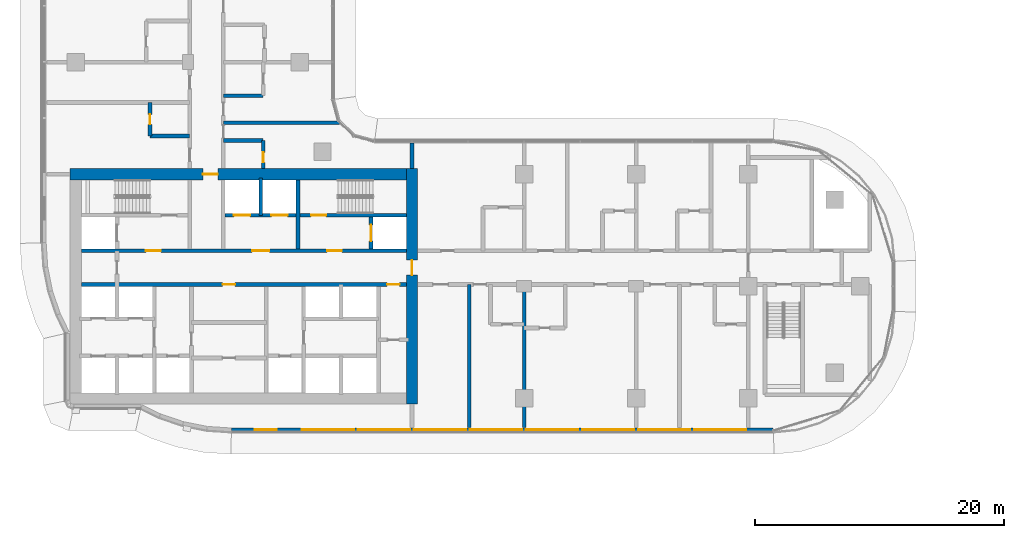
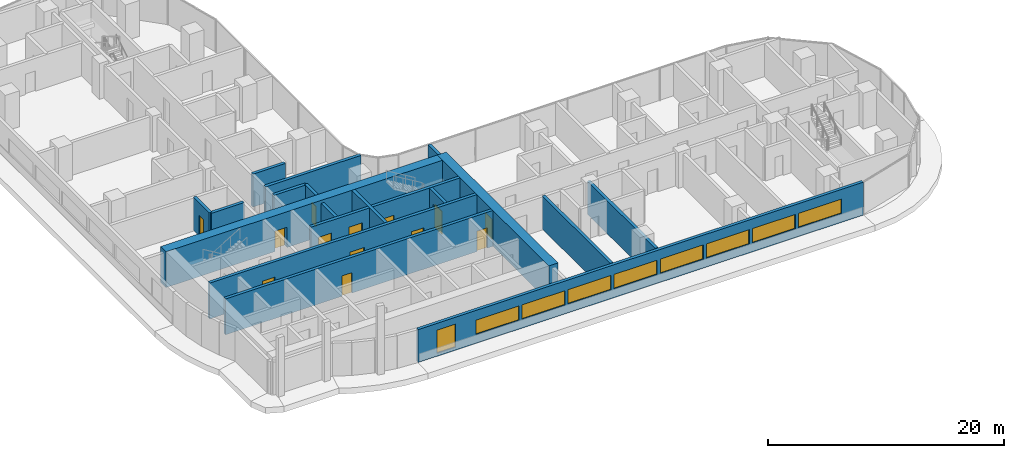
# One storey, part 18 of 36: 18 walls, 13 doors, 9 windows, 22 openings.
"""IFC4 building model written with IfcOpenShell, lengths in metres."""

import ifcopenshell
import ifcopenshell.guid

model = None  # the IFC model being written
_history = None  # IfcOwnerHistory: only IFC2X3 demands one
_inside = {}  # id of a spatial element -> (the spatial element, [elements in it])
_under = {}  # id of a project, library or spatial element -> (it, [spatial elements below it])
_declared = {}  # id of a project -> (the project, [libraries it declares])
_typed = {}  # id of a type object -> (the type object, [elements of that type])
_made_of = {}  # id of a material, layer set ... -> (it, [elements and type objects made of it])


def new_model(schema):
    """Start an empty IFC model of exactly this schema.

    Asked for "IFC4X3", IfcOpenShell would pick the latest addendum, in which some entities
    have other attributes; the version numbers below select the first issue.
    IFC2X3 requires an IfcOwnerHistory on every rooted entity: one is made here for all.
    """
    global model, _history
    if schema == "IFC4X3":
        model = ifcopenshell.file(schema_version=(4, 3, 0, 0))
    else:
        model = ifcopenshell.file(schema=schema)
    _inside.clear()
    _under.clear()
    _declared.clear()
    _typed.clear()
    _made_of.clear()
    _history = None
    if model.schema == "IFC2X3":
        org = make("IfcOrganization", Name="unknown")
        user = make(
            "IfcPersonAndOrganization",
            ThePerson=make("IfcPerson", FamilyName="unknown"),
            TheOrganization=org,
        )
        app = make(
            "IfcApplication",
            ApplicationDeveloper=org,
            Version="unknown",
            ApplicationFullName="unknown",
            ApplicationIdentifier="unknown",
        )
        _history = make(
            "IfcOwnerHistory",
            OwningUser=user,
            OwningApplication=app,
            ChangeAction="ADDED",
            CreationDate=0,
        )
    return model


def make(cls, **values):
    """One entity of the class cls with the attributes given. An attribute that is None is left unset."""
    return model.create_entity(
        cls, **{name: value for name, value in values.items() if value is not None}
    )


def rooted(cls, **values):
    """An entity with a GlobalId (a new one), such as an element, a storey or a relation."""
    return make(cls, GlobalId=ifcopenshell.guid.new(), OwnerHistory=_history, **values)


def si_unit(unit_type, name, prefix=None):
    """IfcSIUnit, for example si_unit("LENGTHUNIT", "METRE", prefix="MILLI")."""
    return make("IfcSIUnit", UnitType=unit_type, Prefix=prefix, Name=name)


def assignment(units):
    """IfcUnitAssignment: the units of a project."""
    return None if units is None else make("IfcUnitAssignment", Units=units)


def point(xyz):
    """IfcCartesianPoint."""
    return None if xyz is None else make("IfcCartesianPoint", Coordinates=xyz)


def direction(xyz):
    """IfcDirection."""
    return None if xyz is None else make("IfcDirection", DirectionRatios=xyz)


def frame(location, z_axis=None, x_axis=None):
    """IfcAxis2Placement3D, a coordinate frame: its origin and axes. An axis left out is left unset."""
    return make(
        "IfcAxis2Placement3D",
        Location=point(location),
        Axis=direction(z_axis),
        RefDirection=direction(x_axis),
    )


def frame_2d(location, x_axis=None):
    """IfcAxis2Placement2D, a coordinate frame in the plane: its origin and x axis."""
    return make(
        "IfcAxis2Placement2D", Location=point(location), RefDirection=direction(x_axis)
    )


def origin():
    """The frame at (0, 0, 0) with its axes left unset."""
    return frame((0.0, 0.0, 0.0))


def place(relative_to, where):
    """IfcLocalPlacement: puts the frame where relative to a parent placement (None: the world)."""
    return make(
        "IfcLocalPlacement", PlacementRelTo=relative_to, RelativePlacement=where
    )


def context(
    kind, dimensions, precision=None, world=None, true_north=None, identifier=None
):
    """IfcGeometricRepresentationContext, for example the 3D "Model" context."""
    return make(
        "IfcGeometricRepresentationContext",
        ContextIdentifier=identifier,
        ContextType=kind,
        CoordinateSpaceDimension=dimensions,
        Precision=precision,
        WorldCoordinateSystem=world,
        TrueNorth=true_north,
    )


def subcontext(parent, identifier, kind, view, scale=None):
    """IfcGeometricRepresentationSubContext, for example "Body" below "Model"."""
    return make(
        "IfcGeometricRepresentationSubContext",
        ContextIdentifier=identifier,
        ContextType=kind,
        ParentContext=parent,
        TargetScale=scale,
        TargetView=view,
    )


def project(units=None, contexts=None):
    """IfcProject with its units and contexts."""
    return rooted(
        "IfcProject",
        Name="project",
        RepresentationContexts=contexts,
        UnitsInContext=assignment(units),
    )


def spatial(cls, under=None, at=None, **own):
    """A site, building, storey or space (cls), placed at a placement, below another one or the project."""
    s = rooted(cls, ObjectPlacement=at, **own)
    if under is not None:
        _under.setdefault(under.id(), (under, []))[1].append(s)
    return s


def profile(cls, at=None, kind="AREA", **sizes):
    """A parametric profile (cls). Its sizes go by their IFC names, for example OverallWidth=200.0."""
    return make(cls, ProfileType=kind, Position=at, **sizes)


def rectangle(**sizes):
    """IfcRectangleProfileDef."""
    return profile("IfcRectangleProfileDef", **sizes)


def extrude(swept, where, along, depth):
    """IfcExtrudedAreaSolid: the profile swept, set in the frame where, extruded along a direction by depth."""
    return make(
        "IfcExtrudedAreaSolid",
        SweptArea=swept,
        Position=where,
        ExtrudedDirection=direction(along),
        Depth=depth,
    )


def shape(context_of_items, identifier, shape_type, items):
    """IfcShapeRepresentation: the items that make up one representation, for example the "Body"."""
    return make(
        "IfcShapeRepresentation",
        ContextOfItems=context_of_items,
        RepresentationIdentifier=identifier,
        RepresentationType=shape_type,
        Items=items,
    )


def material(Name=None, Category=None):
    """IfcMaterial."""
    return make("IfcMaterial", Name=Name, Category=Category)


def layer(
    of_material, thickness, ventilated=None, Name=None, Category=None, Priority=None
):
    """IfcMaterialLayer: one layer of a wall or slab, of a material (None: an air gap)."""
    return make(
        "IfcMaterialLayer",
        Material=of_material,
        LayerThickness=thickness,
        IsVentilated=ventilated,
        Name=Name,
        Category=Category,
        Priority=Priority,
    )


def layer_set(layers, Name=None):
    """IfcMaterialLayerSet."""
    return make("IfcMaterialLayerSet", MaterialLayers=layers, LayerSetName=Name)


def made_of(thing, what):
    """Note that an element or type object is made of a material, layer set ...; save() writes the relation."""
    if what is not None:
        _made_of.setdefault(what.id(), (what, []))[1].append(thing)
    return thing


def type_object(cls, material=None, **own):
    """A type object (cls), such as IfcWallType, which elements share."""
    return made_of(rooted(cls, **own), material)


def element(
    cls,
    number,
    at=None,
    inside=None,
    cuts=None,
    type_object=None,
    material=None,
    context=None,
    identifier="Body",
    shape_type=None,
    held_by="IfcProductDefinitionShape",
    body=None,
    shapes=None,
    **own,
):
    """One element of the class cls, such as IfcWall. Its Tag is "e" and its number.

    at: its placement. inside: the storey or other place that contains it. cuts: it is an
    opening in that element (IfcRelVoidsElement). A single representation is given by context,
    identifier, shape_type and body (its items); several are given by shapes. held_by: the class
    of the entity that holds the representations. save() writes the other relations.
    """
    e = rooted(cls, Tag="e%d" % number, ObjectPlacement=at, **own)
    if body is not None:
        shapes = [shape(context, identifier, shape_type, body)]
    if shapes is not None:
        e.Representation = make(held_by, Representations=shapes)
    if inside is not None:
        _inside.setdefault(inside.id(), (inside, []))[1].append(e)
    if cuts is not None:
        rooted(
            "IfcRelVoidsElement", RelatingBuildingElement=cuts, RelatedOpeningElement=e
        )
    if type_object is not None:
        _typed.setdefault(type_object.id(), (type_object, []))[1].append(e)
    return made_of(e, material)


def fill(opening, filler):
    """IfcRelFillsElement: the door or window that sits in an opening."""
    return rooted(
        "IfcRelFillsElement",
        RelatingOpeningElement=opening,
        RelatedBuildingElement=filler,
    )


def aggregate(whole, parts):
    """IfcRelAggregates: a whole, such as a stair, and the parts it consists of."""
    return rooted("IfcRelAggregates", RelatingObject=whole, RelatedObjects=parts)


def save(model, path):
    """Write the relations noted so far, then the file.

    IfcRelAggregates (storeys below a building ...), IfcRelContainedInSpatialStructure (elements
    in a storey), IfcRelDefinesByType, IfcRelAssociatesMaterial and IfcRelDeclares: one each for
    every whole, place, type object, material and project.
    """
    for whole, parts in _under.values():
        aggregate(whole, parts)
    for where, things in _inside.values():
        rooted(
            "IfcRelContainedInSpatialStructure",
            RelatedElements=things,
            RelatingStructure=where,
        )
    for kind, things in _typed.values():
        rooted("IfcRelDefinesByType", RelatedObjects=things, RelatingType=kind)
    for what, things in _made_of.values():
        rooted("IfcRelAssociatesMaterial", RelatedObjects=things, RelatingMaterial=what)
    for by, libraries in _declared.values():
        rooted("IfcRelDeclares", RelatingContext=by, RelatedDefinitions=libraries)
    model.write(path)


model = new_model("IFC4")

# Units and contexts
model_context = context("Model", 3, precision=1e-05, world=origin(), true_north=direction((0.0, 1.0)))
body_context = subcontext(model_context, "Body", "Model", "MODEL_VIEW")
ifc_project = project(units=[si_unit("LENGTHUNIT", "METRE"), si_unit("AREAUNIT", "SQUARE_METRE"), si_unit("VOLUMEUNIT", "CUBIC_METRE"), si_unit("PLANEANGLEUNIT", "RADIAN"), si_unit("MASSUNIT", "GRAM", prefix="KILO")], contexts=[model_context])

# Site, building, storey
site_placement = place(None, origin())
site = spatial("IfcSite", under=ifc_project, at=site_placement, CompositionType="ELEMENT")
building_placement = place(site_placement, origin())
building = spatial("IfcBuilding", under=site, at=building_placement, Name="Ogive Portal Towers", CompositionType="ELEMENT")
storey_placement = place(building_placement, frame((0.0, 0.0, 63.10009765625)))
storey = spatial("IfcBuildingStorey", under=building, at=storey_placement, Name="L14", CompositionType="ELEMENT", Elevation=63.10009765625)

# Wall, openings, doors
ifc_material_1 = material(Name="Concrete C60/75", Category="concrete")
ifc_layer_1 = layer(ifc_material_1, 0.300048828125)
ifc_layer_set_1 = layer_set([ifc_layer_1], Name="CORE WALL 300 C60")
wall_type_1 = type_object("IfcWallType", Name="CORE WALL 300 C60", PredefinedType="SHEAR", material=ifc_layer_set_1)
wall_1_placement = place(storey_placement, frame((31.949951171875, 30.64990234375, 0.0), z_axis=(0.0, 0.0, 1.0), x_axis=(1.0, 0.0, 0.0)))
wall_1 = element("IfcWall", 1, at=wall_1_placement, inside=storey, type_object=wall_type_1, Name="Core wall Y1 L14", PredefinedType="SHEAR", context=body_context, shape_type="SweptSolid", body=[
    extrude(rectangle(XDim=26.10009765625, YDim=0.300048828125, at=frame_2d((13.050048828125, 0.0))), origin(), (0.0, 0.0, 1.0), 3.699951171875),
])
opening_1_placement = place(wall_1_placement, frame((24.550048828125, 0.0, 0.0)))
opening_1 = element("IfcOpeningElement", 2, at=opening_1_placement, cuts=wall_1, Name="Opening D04-009", PredefinedType="OPENING", context=body_context, shape_type="SweptSolid", body=[
    extrude(rectangle(XDim=1.0, YDim=2.10009765625, at=frame_2d((0.5, 1.050048828125))), frame((0.0, 0.16015625, 0.0), z_axis=(0.0, -1.0, 0.0), x_axis=(1.0, 0.0, 0.0)), (0.0, 0.0, 1.0), 0.320068359375),
])
opening_2_placement = place(wall_1_placement, frame((11.35009765625, 0.0, 0.0)))
opening_2 = element("IfcOpeningElement", 3, at=opening_2_placement, cuts=wall_1, Name="Opening D04-021", PredefinedType="OPENING", context=body_context, shape_type="SweptSolid", body=[
    extrude(rectangle(XDim=1.0, YDim=2.10009765625, at=frame_2d((0.5, 1.050048828125))), frame((0.0, 0.16015625, 0.0), z_axis=(0.0, -1.0, 0.0), x_axis=(1.0, 0.0, 0.0)), (0.0, 0.0, 1.0), 0.320068359375),
])
ifc_material_2 = material(Name="Steel fire door", Category="steel")
door_type_1 = type_object("IfcDoorType", Name="DT-SWING-1000x2100-FD90S", OperationType="SINGLE_SWING_LEFT", PredefinedType="DOOR", material=ifc_material_2)
door_1_placement = place(opening_1_placement, origin())
door_1 = element("IfcDoor", 4, at=door_1_placement, inside=storey, type_object=door_type_1, Name="Door D04-009", OperationType="SINGLE_SWING_LEFT", OverallHeight=2.10009765625, OverallWidth=1.0, PredefinedType="DOOR", context=body_context, shape_type="SweptSolid", body=[
    extrude(rectangle(XDim=1.0, YDim=2.10009765625, at=frame_2d((0.5, 1.050048828125))), frame((0.0, 0.02490234375, 0.0), z_axis=(0.0, -1.0, 0.0), x_axis=(1.0, 0.0, 0.0)), (0.0, 0.0, 1.0), 0.050048828125),
])
fill(opening_1, door_1)
door_2_placement = place(opening_2_placement, origin())
door_2 = element("IfcDoor", 5, at=door_2_placement, inside=storey, type_object=door_type_1, Name="Door D04-021", OperationType="SINGLE_SWING_LEFT", OverallHeight=2.10009765625, OverallWidth=1.0, PredefinedType="DOOR", context=body_context, shape_type="SweptSolid", body=[
    extrude(rectangle(XDim=1.0, YDim=2.10009765625, at=frame_2d((0.5, 1.050048828125))), frame((0.0, 0.02490234375, 0.0), z_axis=(0.0, -1.0, 0.0), x_axis=(1.0, 0.0, 0.0)), (0.0, 0.0, 1.0), 0.050048828125),
])
fill(opening_2, door_2)

wall_2_placement = place(storey_placement, frame((31.949951171875, 33.35009765625, 0.0), z_axis=(0.0, 0.0, 1.0), x_axis=(1.0, 0.0, 0.0)))
wall_2 = element("IfcWall", 6, at=wall_2_placement, inside=storey, type_object=wall_type_1, Name="Core wall Y2 L14", PredefinedType="SHEAR", context=body_context, shape_type="SweptSolid", body=[
    extrude(rectangle(XDim=26.10009765625, YDim=0.300048828125, at=frame_2d((13.050048828125, 0.0))), origin(), (0.0, 0.0, 1.0), 3.699951171875),
])
opening_3_placement = place(wall_2_placement, frame((13.699951171875, 0.0, 0.0)))
opening_3 = element("IfcOpeningElement", 7, at=opening_3_placement, cuts=wall_2, Name="Opening D04-002", PredefinedType="OPENING", context=body_context, shape_type="SweptSolid", body=[
    extrude(rectangle(XDim=1.39990234375, YDim=2.10009765625, at=frame_2d((0.699951171875, 1.050048828125))), frame((0.0, 0.16015625, 0.0), z_axis=(0.0, -1.0, 0.0), x_axis=(1.0, 0.0, 0.0)), (0.0, 0.0, 1.0), 0.320068359375),
])
opening_4_placement = place(wall_2_placement, frame((5.175048828125, 0.0, 0.0)))
opening_4 = element("IfcOpeningElement", 8, at=opening_4_placement, cuts=wall_2, Name="Opening D04-003", PredefinedType="OPENING", context=body_context, shape_type="SweptSolid", body=[
    extrude(rectangle(XDim=1.199951171875, YDim=2.10009765625, at=frame_2d((0.60009765625, 1.050048828125))), frame((0.0, 0.16015625, 0.0), z_axis=(0.0, -1.0, 0.0), x_axis=(1.0, 0.0, 0.0)), (0.0, 0.0, 1.0), 0.320068359375),
])
opening_5_placement = place(wall_2_placement, frame((19.72509765625, 0.0, 0.0)))
opening_5 = element("IfcOpeningElement", 9, at=opening_5_placement, cuts=wall_2, Name="Opening D04-004", PredefinedType="OPENING", context=body_context, shape_type="SweptSolid", body=[
    extrude(rectangle(XDim=1.199951171875, YDim=2.10009765625, at=frame_2d((0.60009765625, 1.050048828125))), frame((0.0, 0.16015625, 0.0), z_axis=(0.0, -1.0, 0.0), x_axis=(1.0, 0.0, 0.0)), (0.0, 0.0, 1.0), 0.320068359375),
])
door_type_2 = type_object("IfcDoorType", Name="DT-SWING-1200x2100-FD90S", OperationType="SINGLE_SWING_LEFT", PredefinedType="DOOR", material=ifc_material_2)
door_3_placement = place(opening_4_placement, origin())
door_3 = element("IfcDoor", 10, at=door_3_placement, inside=storey, type_object=door_type_2, Name="Door D04-003", OperationType="SINGLE_SWING_LEFT", OverallHeight=2.10009765625, OverallWidth=1.199951171875, PredefinedType="DOOR", context=body_context, shape_type="SweptSolid", body=[
    extrude(rectangle(XDim=1.199951171875, YDim=2.10009765625, at=frame_2d((0.60009765625, 1.050048828125))), frame((0.0, 0.02490234375, 0.0), z_axis=(0.0, -1.0, 0.0), x_axis=(1.0, 0.0, 0.0)), (0.0, 0.0, 1.0), 0.050048828125),
])
fill(opening_4, door_3)
door_4_placement = place(opening_5_placement, origin())
door_4 = element("IfcDoor", 11, at=door_4_placement, inside=storey, type_object=door_type_2, Name="Door D04-004", OperationType="SINGLE_SWING_RIGHT", OverallHeight=2.10009765625, OverallWidth=1.199951171875, PredefinedType="DOOR", context=body_context, shape_type="SweptSolid", body=[
    extrude(rectangle(XDim=1.199951171875, YDim=2.10009765625, at=frame_2d((0.60009765625, 1.050048828125))), frame((0.0, 0.02490234375, 0.0), z_axis=(0.0, -1.0, 0.0), x_axis=(1.0, 0.0, 0.0)), (0.0, 0.0, 1.0), 0.050048828125),
])
fill(opening_5, door_4)
door_type_3 = type_object("IfcDoorType", Name="DT-SWING-1400x2100-FD90S", OperationType="SINGLE_SWING_LEFT", PredefinedType="DOOR", material=ifc_material_2)
door_5_placement = place(opening_3_placement, origin())
door_5 = element("IfcDoor", 12, at=door_5_placement, inside=storey, type_object=door_type_3, Name="Door D04-002", OperationType="SINGLE_SWING_RIGHT", OverallHeight=2.10009765625, OverallWidth=1.39990234375, PredefinedType="DOOR", context=body_context, shape_type="SweptSolid", body=[
    extrude(rectangle(XDim=1.39990234375, YDim=2.10009765625, at=frame_2d((0.699951171875, 1.050048828125))), frame((0.0, 0.02490234375, 0.0), z_axis=(0.0, -1.0, 0.0), x_axis=(1.0, 0.0, 0.0)), (0.0, 0.0, 1.0), 0.050048828125),
])
fill(opening_3, door_5)

wall_3_placement = place(storey_placement, frame((43.5, 36.199951171875, 0.0), z_axis=(0.0, 0.0, 1.0), x_axis=(1.0, 0.0, 0.0)))
wall_3 = element("IfcWall", 13, at=wall_3_placement, inside=storey, type_object=wall_type_1, Name="Core wall Y3b L14", PredefinedType="SHEAR", context=body_context, shape_type="SweptSolid", body=[
    extrude(rectangle(XDim=14.550048828125, YDim=0.300048828125, at=frame_2d((7.27490234375, 0.0))), origin(), (0.0, 0.0, 1.0), 3.699951171875),
])
opening_6_placement = place(wall_3_placement, frame((6.89990234375, 0.0, 0.0)))
opening_6 = element("IfcOpeningElement", 14, at=opening_6_placement, cuts=wall_3, Name="Opening D04-006", PredefinedType="OPENING", context=body_context, shape_type="SweptSolid", body=[
    extrude(rectangle(XDim=1.199951171875, YDim=2.10009765625, at=frame_2d((0.60009765625, 1.050048828125))), frame((0.0, 0.16015625, 0.0), z_axis=(0.0, -1.0, 0.0), x_axis=(1.0, 0.0, 0.0)), (0.0, 0.0, 1.0), 0.320068359375),
])
opening_7_placement = place(wall_3_placement, frame((0.699951171875, 0.0, 0.0)))
opening_7 = element("IfcOpeningElement", 15, at=opening_7_placement, cuts=wall_3, Name="Opening D04-017", PredefinedType="OPENING", context=body_context, shape_type="SweptSolid", body=[
    extrude(rectangle(XDim=1.300048828125, YDim=2.39990234375, at=frame_2d((0.64990234375, 1.199951171875))), frame((0.0, 0.16015625, 0.0), z_axis=(0.0, -1.0, 0.0), x_axis=(1.0, 0.0, 0.0)), (0.0, 0.0, 1.0), 0.320068359375),
])
opening_8_placement = place(wall_3_placement, frame((3.699951171875, 0.0, 0.0)))
opening_8 = element("IfcOpeningElement", 16, at=opening_8_placement, cuts=wall_3, Name="Opening D04-018", PredefinedType="OPENING", context=body_context, shape_type="SweptSolid", body=[
    extrude(rectangle(XDim=1.300048828125, YDim=2.39990234375, at=frame_2d((0.64990234375, 1.199951171875))), frame((0.0, 0.16015625, 0.0), z_axis=(0.0, -1.0, 0.0), x_axis=(1.0, 0.0, 0.0)), (0.0, 0.0, 1.0), 0.320068359375),
])
ifc_material_3 = material(Name="Stainless steel", Category="steel")
door_type_4 = type_object("IfcDoorType", Name="DT-LD-1300x2400", OperationType="SLIDING_TO_LEFT", PredefinedType="DOOR", material=ifc_material_3)
door_6_placement = place(opening_7_placement, origin())
door_6 = element("IfcDoor", 17, at=door_6_placement, inside=storey, type_object=door_type_4, Name="Door D04-017", OperationType="SLIDING_TO_LEFT", OverallHeight=2.39990234375, OverallWidth=1.300048828125, PredefinedType="DOOR", context=body_context, shape_type="SweptSolid", body=[
    extrude(rectangle(XDim=1.300048828125, YDim=2.39990234375, at=frame_2d((0.64990234375, 1.199951171875))), frame((0.0, 0.02490234375, 0.0), z_axis=(0.0, -1.0, 0.0), x_axis=(1.0, 0.0, 0.0)), (0.0, 0.0, 1.0), 0.050048828125),
])
fill(opening_7, door_6)
door_7_placement = place(opening_8_placement, origin())
door_7 = element("IfcDoor", 18, at=door_7_placement, inside=storey, type_object=door_type_4, Name="Door D04-018", OperationType="SLIDING_TO_LEFT", OverallHeight=2.39990234375, OverallWidth=1.300048828125, PredefinedType="DOOR", context=body_context, shape_type="SweptSolid", body=[
    extrude(rectangle(XDim=1.300048828125, YDim=2.39990234375, at=frame_2d((0.64990234375, 1.199951171875))), frame((0.0, 0.02490234375, 0.0), z_axis=(0.0, -1.0, 0.0), x_axis=(1.0, 0.0, 0.0)), (0.0, 0.0, 1.0), 0.050048828125),
])
fill(opening_8, door_7)
door_8_placement = place(opening_6_placement, origin())
door_8 = element("IfcDoor", 19, at=door_8_placement, inside=storey, type_object=door_type_2, Name="Door D04-006", OperationType="SINGLE_SWING_LEFT", OverallHeight=2.10009765625, OverallWidth=1.199951171875, PredefinedType="DOOR", context=body_context, shape_type="SweptSolid", body=[
    extrude(rectangle(XDim=1.199951171875, YDim=2.10009765625, at=frame_2d((0.60009765625, 1.050048828125))), frame((0.0, 0.02490234375, 0.0), z_axis=(0.0, -1.0, 0.0), x_axis=(1.0, 0.0, 0.0)), (0.0, 0.0, 1.0), 0.050048828125),
])
fill(opening_6, door_8)

# Wall
wall_4_placement = place(storey_placement, frame((49.35009765625, 33.5, 0.0), z_axis=(0.0, 0.0, 1.0), x_axis=(0.0, 1.0, 0.0)))
element("IfcWall", 20, at=wall_4_placement, inside=storey, type_object=wall_type_1, Name="Core wall X9 L14", PredefinedType="SHEAR", context=body_context, shape_type="SweptSolid", body=[
    extrude(rectangle(XDim=5.550048828125, YDim=0.300048828125, at=frame_2d((2.77490234375, 0.0))), origin(), (0.0, 0.0, 1.0), 3.699951171875),
])

# Wall, opening, door
wall_5_placement = place(storey_placement, frame((55.199951171875, 33.5, 0.0), z_axis=(0.0, 0.0, 1.0), x_axis=(0.0, 1.0, 0.0)))
wall_5 = element("IfcWall", 21, at=wall_5_placement, inside=storey, type_object=wall_type_1, Name="Core wall X10 L14", PredefinedType="SHEAR", context=body_context, shape_type="SweptSolid", body=[
    extrude(rectangle(XDim=2.550048828125, YDim=0.300048828125, at=frame_2d((1.27490234375, 0.0))), origin(), (0.0, 0.0, 1.0), 3.699951171875),
])
opening_9_placement = place(wall_5_placement, frame((0.625, 0.0, 0.0)))
opening_9 = element("IfcOpeningElement", 22, at=opening_9_placement, cuts=wall_5, Name="Opening D04-020", PredefinedType="OPENING", context=body_context, shape_type="SweptSolid", body=[
    extrude(rectangle(XDim=1.300048828125, YDim=2.39990234375, at=frame_2d((0.64990234375, 1.199951171875))), frame((0.0, 0.16015625, 0.0), z_axis=(0.0, -1.0, 0.0), x_axis=(1.0, 0.0, 0.0)), (0.0, 0.0, 1.0), 0.320068359375),
])
door_9_placement = place(opening_9_placement, origin())
door_9 = element("IfcDoor", 23, at=door_9_placement, inside=storey, type_object=door_type_4, Name="Door D04-020", OperationType="SLIDING_TO_LEFT", OverallHeight=2.39990234375, OverallWidth=1.300048828125, PredefinedType="DOOR", context=body_context, shape_type="SweptSolid", body=[
    extrude(rectangle(XDim=1.300048828125, YDim=2.39990234375, at=frame_2d((0.64990234375, 1.199951171875))), frame((0.0, 0.02490234375, 0.0), z_axis=(0.0, -1.0, 0.0), x_axis=(1.0, 0.0, 0.0)), (0.0, 0.0, 1.0), 0.050048828125),
])
fill(opening_9, door_9)

ifc_layer_2 = layer(ifc_material_1, 0.89990234375)
ifc_layer_set_2 = layer_set([ifc_layer_2], Name="CORE WALL 900 C60")
wall_type_2 = type_object("IfcWallType", Name="CORE WALL 900 C60", PredefinedType="SHEAR", material=ifc_layer_set_2)
wall_6_placement = place(storey_placement, frame((58.5, 21.050048828125, 0.0), z_axis=(0.0, 0.0, 1.0), x_axis=(0.0, 1.0, 0.0)))
wall_6 = element("IfcWall", 24, at=wall_6_placement, inside=storey, type_object=wall_type_2, Name="Core wall E L14", PredefinedType="SHEAR", context=body_context, shape_type="SweptSolid", body=[
    extrude(rectangle(XDim=18.89990234375, YDim=0.89990234375, at=frame_2d((9.449951171875, 0.0))), origin(), (0.0, 0.0, 1.0), 3.699951171875),
])
opening_10_placement = place(wall_6_placement, frame((10.35009765625, 0.0, 0.0)))
opening_10 = element("IfcOpeningElement", 25, at=opening_10_placement, cuts=wall_6, Name="Opening D04-011", PredefinedType="OPENING", context=body_context, shape_type="SweptSolid", body=[
    extrude(rectangle(XDim=1.199951171875, YDim=2.10009765625, at=frame_2d((0.60009765625, 1.050048828125))), frame((0.0, 0.4599609375, 0.0), z_axis=(0.0, -1.0, 0.0), x_axis=(1.0, 0.0, 0.0)), (0.0, 0.0, 1.0), 0.919921875),
])
door_10_placement = place(opening_10_placement, origin())
door_10 = element("IfcDoor", 26, at=door_10_placement, inside=storey, type_object=door_type_2, Name="Door D04-011", OperationType="SINGLE_SWING_LEFT", OverallHeight=2.10009765625, OverallWidth=1.199951171875, PredefinedType="DOOR", context=body_context, shape_type="SweptSolid", body=[
    extrude(rectangle(XDim=1.199951171875, YDim=2.10009765625, at=frame_2d((0.60009765625, 1.050048828125))), frame((0.0, 0.02490234375, 0.0), z_axis=(0.0, -1.0, 0.0), x_axis=(1.0, 0.0, 0.0)), (0.0, 0.0, 1.0), 0.050048828125),
])
fill(opening_10, door_10)

wall_7_placement = place(storey_placement, frame((31.050048828125, 39.5, 0.0), z_axis=(0.0, 0.0, 1.0), x_axis=(1.0, 0.0, 0.0)))
wall_7 = element("IfcWall", 27, at=wall_7_placement, inside=storey, type_object=wall_type_2, Name="Core wall N L14", PredefinedType="SHEAR", context=body_context, shape_type="SweptSolid", body=[
    extrude(rectangle(XDim=27.0, YDim=0.89990234375, at=frame_2d((13.5, 0.0))), origin(), (0.0, 0.0, 1.0), 3.699951171875),
])
opening_11_placement = place(wall_7_placement, frame((10.64990234375, 0.0, 0.0)))
opening_11 = element("IfcOpeningElement", 28, at=opening_11_placement, cuts=wall_7, Name="Opening D04-012", PredefinedType="OPENING", context=body_context, shape_type="SweptSolid", body=[
    extrude(rectangle(XDim=1.199951171875, YDim=2.10009765625, at=frame_2d((0.60009765625, 1.050048828125))), frame((0.0, 0.4599609375, 0.0), z_axis=(0.0, -1.0, 0.0), x_axis=(1.0, 0.0, 0.0)), (0.0, 0.0, 1.0), 0.919921875),
])
door_11_placement = place(opening_11_placement, origin())
door_11 = element("IfcDoor", 29, at=door_11_placement, inside=storey, type_object=door_type_2, Name="Door D04-012", OperationType="SINGLE_SWING_RIGHT", OverallHeight=2.10009765625, OverallWidth=1.199951171875, PredefinedType="DOOR", context=body_context, shape_type="SweptSolid", body=[
    extrude(rectangle(XDim=1.199951171875, YDim=2.10009765625, at=frame_2d((0.60009765625, 1.050048828125))), frame((0.0, 0.02490234375, 0.0), z_axis=(0.0, -1.0, 0.0), x_axis=(1.0, 0.0, 0.0)), (0.0, 0.0, 1.0), 0.050048828125),
])
fill(opening_11, door_11)

# Wall, openings, windows
ifc_material_4 = material(Name="Limestone cladding on lightweight block wall", Category="masonry")
ifc_layer_3 = layer(ifc_material_4, 0.300048828125)
ifc_layer_set_3 = layer_set([ifc_layer_3], Name="EXTERNAL WALL 300 STONE")
wall_type_3 = type_object("IfcWallType", Name="EXTERNAL WALL 300 STONE", PredefinedType="SOLIDWALL", material=ifc_layer_set_3)
wall_8_placement = place(storey_placement, frame((44.009765625, 18.969970703125, 0.0), z_axis=(0.0, 0.0, 1.0), x_axis=(1.0, 0.0, 0.0)))
wall_8 = element("IfcWall", 30, at=wall_8_placement, inside=storey, type_object=wall_type_3, Name="A:L14:f08:r0:wall", PredefinedType="SOLIDWALL", context=body_context, shape_type="SweptSolid", body=[
    extrude(rectangle(XDim=43.478271484375, YDim=0.300048828125, at=frame_2d((21.7392578125, 0.0))), origin(), (0.0, 0.0, 1.0), 3.39990234375),
])
opening_12_placement = place(wall_8_placement, frame((1.844970703125, 0.0, 0.300048828125)))
opening_12 = element("IfcOpeningElement", 31, at=opening_12_placement, cuts=wall_8, Name="Opening WN10", PredefinedType="OPENING", context=body_context, shape_type="SweptSolid", body=[
    extrude(rectangle(XDim=1.800048828125, YDim=2.39990234375, at=frame_2d((0.89990234375, 1.199951171875))), frame((0.0, 0.16015625, 0.0), z_axis=(0.0, -1.0, 0.0), x_axis=(1.0, 0.0, 0.0)), (0.0, 0.0, 1.0), 0.320068359375),
])
opening_13_placement = place(wall_8_placement, frame((5.64013671875, 0.0, 0.89990234375)))
opening_13 = element("IfcOpeningElement", 32, at=opening_13_placement, cuts=wall_8, Name="Opening WN11", PredefinedType="OPENING", context=body_context, shape_type="SweptSolid", body=[
    extrude(rectangle(XDim=4.199951171875, YDim=1.5, at=frame_2d((2.10009765625, 0.75))), frame((0.0, 0.16015625, 0.0), z_axis=(0.0, -1.0, 0.0), x_axis=(1.0, 0.0, 0.0)), (0.0, 0.0, 1.0), 0.320068359375),
])
opening_14_placement = place(wall_8_placement, frame((10.14013671875, 0.0, 0.89990234375)))
opening_14 = element("IfcOpeningElement", 33, at=opening_14_placement, cuts=wall_8, Name="Opening WN11", PredefinedType="OPENING", context=body_context, shape_type="SweptSolid", body=[
    extrude(rectangle(XDim=4.199951171875, YDim=1.5, at=frame_2d((2.10009765625, 0.75))), frame((0.0, 0.16015625, 0.0), z_axis=(0.0, -1.0, 0.0), x_axis=(1.0, 0.0, 0.0)), (0.0, 0.0, 1.0), 0.320068359375),
])
opening_15_placement = place(wall_8_placement, frame((14.64013671875, 0.0, 0.89990234375)))
opening_15 = element("IfcOpeningElement", 34, at=opening_15_placement, cuts=wall_8, Name="Opening WN11", PredefinedType="OPENING", context=body_context, shape_type="SweptSolid", body=[
    extrude(rectangle(XDim=4.199951171875, YDim=1.5, at=frame_2d((2.10009765625, 0.75))), frame((0.0, 0.16015625, 0.0), z_axis=(0.0, -1.0, 0.0), x_axis=(1.0, 0.0, 0.0)), (0.0, 0.0, 1.0), 0.320068359375),
])
opening_16_placement = place(wall_8_placement, frame((19.14013671875, 0.0, 0.89990234375)))
opening_16 = element("IfcOpeningElement", 35, at=opening_16_placement, cuts=wall_8, Name="Opening WN11", PredefinedType="OPENING", context=body_context, shape_type="SweptSolid", body=[
    extrude(rectangle(XDim=4.199951171875, YDim=1.5, at=frame_2d((2.10009765625, 0.75))), frame((0.0, 0.16015625, 0.0), z_axis=(0.0, -1.0, 0.0), x_axis=(1.0, 0.0, 0.0)), (0.0, 0.0, 1.0), 0.320068359375),
])
opening_17_placement = place(wall_8_placement, frame((23.64013671875, 0.0, 0.89990234375)))
opening_17 = element("IfcOpeningElement", 36, at=opening_17_placement, cuts=wall_8, Name="Opening WN11", PredefinedType="OPENING", context=body_context, shape_type="SweptSolid", body=[
    extrude(rectangle(XDim=4.199951171875, YDim=1.5, at=frame_2d((2.10009765625, 0.75))), frame((0.0, 0.16015625, 0.0), z_axis=(0.0, -1.0, 0.0), x_axis=(1.0, 0.0, 0.0)), (0.0, 0.0, 1.0), 0.320068359375),
])
opening_18_placement = place(wall_8_placement, frame((28.14013671875, 0.0, 0.89990234375)))
opening_18 = element("IfcOpeningElement", 37, at=opening_18_placement, cuts=wall_8, Name="Opening WN11", PredefinedType="OPENING", context=body_context, shape_type="SweptSolid", body=[
    extrude(rectangle(XDim=4.199951171875, YDim=1.5, at=frame_2d((2.10009765625, 0.75))), frame((0.0, 0.16015625, 0.0), z_axis=(0.0, -1.0, 0.0), x_axis=(1.0, 0.0, 0.0)), (0.0, 0.0, 1.0), 0.320068359375),
])
opening_19_placement = place(wall_8_placement, frame((32.64013671875, 0.0, 0.89990234375)))
opening_19 = element("IfcOpeningElement", 38, at=opening_19_placement, cuts=wall_8, Name="Opening WN11", PredefinedType="OPENING", context=body_context, shape_type="SweptSolid", body=[
    extrude(rectangle(XDim=4.199951171875, YDim=1.5, at=frame_2d((2.10009765625, 0.75))), frame((0.0, 0.16015625, 0.0), z_axis=(0.0, -1.0, 0.0), x_axis=(1.0, 0.0, 0.0)), (0.0, 0.0, 1.0), 0.320068359375),
])
opening_20_placement = place(wall_8_placement, frame((37.14013671875, 0.0, 0.89990234375)))
opening_20 = element("IfcOpeningElement", 39, at=opening_20_placement, cuts=wall_8, Name="Opening WN11", PredefinedType="OPENING", context=body_context, shape_type="SweptSolid", body=[
    extrude(rectangle(XDim=4.199951171875, YDim=1.5, at=frame_2d((2.10009765625, 0.75))), frame((0.0, 0.16015625, 0.0), z_axis=(0.0, -1.0, 0.0), x_axis=(1.0, 0.0, 0.0)), (0.0, 0.0, 1.0), 0.320068359375),
])
ifc_material_5 = material(Name="Glass, clear low-iron insulated glazing", Category="glass")
window_type_1 = type_object("IfcWindowType", Name="WINDOW RIBBON 4200x1500", PartitioningType="TRIPLE_PANEL_VERTICAL", PredefinedType="WINDOW", material=ifc_material_5)
window_1_placement = place(opening_13_placement, origin())
window_1 = element("IfcWindow", 40, at=window_1_placement, inside=storey, type_object=window_type_1, Name="A:L14:f08:r0:w1", OverallHeight=1.5, OverallWidth=4.199951171875, PartitioningType="SINGLE_PANEL", PredefinedType="WINDOW", context=body_context, shape_type="SweptSolid", body=[
    extrude(rectangle(XDim=4.199951171875, YDim=1.5, at=frame_2d((2.10009765625, 0.75))), frame((0.0, 0.030029296875, 0.0), z_axis=(0.0, -1.0, 0.0), x_axis=(1.0, 0.0, 0.0)), (0.0, 0.0, 1.0), 0.06005859375),
])
fill(opening_13, window_1)
window_2_placement = place(opening_14_placement, origin())
window_2 = element("IfcWindow", 41, at=window_2_placement, inside=storey, type_object=window_type_1, Name="A:L14:f08:r0:w2", OverallHeight=1.5, OverallWidth=4.199951171875, PartitioningType="SINGLE_PANEL", PredefinedType="WINDOW", context=body_context, shape_type="SweptSolid", body=[
    extrude(rectangle(XDim=4.199951171875, YDim=1.5, at=frame_2d((2.10009765625, 0.75))), frame((0.0, 0.030029296875, 0.0), z_axis=(0.0, -1.0, 0.0), x_axis=(1.0, 0.0, 0.0)), (0.0, 0.0, 1.0), 0.06005859375),
])
fill(opening_14, window_2)
window_3_placement = place(opening_15_placement, origin())
window_3 = element("IfcWindow", 42, at=window_3_placement, inside=storey, type_object=window_type_1, Name="A:L14:f08:r0:w3", OverallHeight=1.5, OverallWidth=4.199951171875, PartitioningType="SINGLE_PANEL", PredefinedType="WINDOW", context=body_context, shape_type="SweptSolid", body=[
    extrude(rectangle(XDim=4.199951171875, YDim=1.5, at=frame_2d((2.10009765625, 0.75))), frame((0.0, 0.030029296875, 0.0), z_axis=(0.0, -1.0, 0.0), x_axis=(1.0, 0.0, 0.0)), (0.0, 0.0, 1.0), 0.06005859375),
])
fill(opening_15, window_3)
window_4_placement = place(opening_16_placement, origin())
window_4 = element("IfcWindow", 43, at=window_4_placement, inside=storey, type_object=window_type_1, Name="A:L14:f08:r0:w4", OverallHeight=1.5, OverallWidth=4.199951171875, PartitioningType="SINGLE_PANEL", PredefinedType="WINDOW", context=body_context, shape_type="SweptSolid", body=[
    extrude(rectangle(XDim=4.199951171875, YDim=1.5, at=frame_2d((2.10009765625, 0.75))), frame((0.0, 0.030029296875, 0.0), z_axis=(0.0, -1.0, 0.0), x_axis=(1.0, 0.0, 0.0)), (0.0, 0.0, 1.0), 0.06005859375),
])
fill(opening_16, window_4)
window_5_placement = place(opening_17_placement, origin())
window_5 = element("IfcWindow", 44, at=window_5_placement, inside=storey, type_object=window_type_1, Name="A:L14:f08:r0:w5", OverallHeight=1.5, OverallWidth=4.199951171875, PartitioningType="SINGLE_PANEL", PredefinedType="WINDOW", context=body_context, shape_type="SweptSolid", body=[
    extrude(rectangle(XDim=4.199951171875, YDim=1.5, at=frame_2d((2.10009765625, 0.75))), frame((0.0, 0.030029296875, 0.0), z_axis=(0.0, -1.0, 0.0), x_axis=(1.0, 0.0, 0.0)), (0.0, 0.0, 1.0), 0.06005859375),
])
fill(opening_17, window_5)
window_6_placement = place(opening_18_placement, origin())
window_6 = element("IfcWindow", 45, at=window_6_placement, inside=storey, type_object=window_type_1, Name="A:L14:f08:r0:w6", OverallHeight=1.5, OverallWidth=4.199951171875, PartitioningType="SINGLE_PANEL", PredefinedType="WINDOW", context=body_context, shape_type="SweptSolid", body=[
    extrude(rectangle(XDim=4.199951171875, YDim=1.5, at=frame_2d((2.10009765625, 0.75))), frame((0.0, 0.030029296875, 0.0), z_axis=(0.0, -1.0, 0.0), x_axis=(1.0, 0.0, 0.0)), (0.0, 0.0, 1.0), 0.06005859375),
])
fill(opening_18, window_6)
window_7_placement = place(opening_19_placement, origin())
window_7 = element("IfcWindow", 46, at=window_7_placement, inside=storey, type_object=window_type_1, Name="A:L14:f08:r0:w7", OverallHeight=1.5, OverallWidth=4.199951171875, PartitioningType="SINGLE_PANEL", PredefinedType="WINDOW", context=body_context, shape_type="SweptSolid", body=[
    extrude(rectangle(XDim=4.199951171875, YDim=1.5, at=frame_2d((2.10009765625, 0.75))), frame((0.0, 0.030029296875, 0.0), z_axis=(0.0, -1.0, 0.0), x_axis=(1.0, 0.0, 0.0)), (0.0, 0.0, 1.0), 0.06005859375),
])
fill(opening_19, window_7)
window_8_placement = place(opening_20_placement, origin())
window_8 = element("IfcWindow", 47, at=window_8_placement, inside=storey, type_object=window_type_1, Name="A:L14:f08:r0:w8", OverallHeight=1.5, OverallWidth=4.199951171875, PartitioningType="SINGLE_PANEL", PredefinedType="WINDOW", context=body_context, shape_type="SweptSolid", body=[
    extrude(rectangle(XDim=4.199951171875, YDim=1.5, at=frame_2d((2.10009765625, 0.75))), frame((0.0, 0.030029296875, 0.0), z_axis=(0.0, -1.0, 0.0), x_axis=(1.0, 0.0, 0.0)), (0.0, 0.0, 1.0), 0.06005859375),
])
fill(opening_20, window_8)
window_type_2 = type_object("IfcWindowType", Name="WINDOW SUITE CORNER 1800x2400", PartitioningType="DOUBLE_PANEL_VERTICAL", PredefinedType="WINDOW", material=ifc_material_5)
window_9_placement = place(opening_12_placement, origin())
window_9 = element("IfcWindow", 48, at=window_9_placement, inside=storey, type_object=window_type_2, Name="A:L14:f08:r0:w0", OverallHeight=2.39990234375, OverallWidth=1.800048828125, PartitioningType="SINGLE_PANEL", PredefinedType="WINDOW", context=body_context, shape_type="SweptSolid", body=[
    extrude(rectangle(XDim=1.800048828125, YDim=2.39990234375, at=frame_2d((0.89990234375, 1.199951171875))), frame((0.0, 0.030029296875, 0.0), z_axis=(0.0, -1.0, 0.0), x_axis=(1.0, 0.0, 0.0)), (0.0, 0.0, 1.0), 0.06005859375),
])
fill(opening_12, window_9)

# Walls
ifc_material_6 = material(Name="Gypsum board partition on steel studs", Category="steel")
ifc_layer_4 = layer(ifc_material_6, 0.300048828125)
ifc_layer_set_4 = layer_set([ifc_layer_4], Name="WT-PART-300-EI 60")
wall_type_4 = type_object("IfcWallType", Name="WT-PART-300-EI 60", PredefinedType="PARTITIONING", material=ifc_layer_set_4)
for number, where, z_axis, x_axis, name in (
    (49, (43.35009765625, 42.199951171875, 0.0), (0.0, 0.0, 1.0), (1.0, 0.0, 0.0), "Wall L14:w014"),
    (50, (37.449951171875, 42.56005859375, 0.0), (0.0, 0.0, 1.0), (1.0, 0.0, 0.0), "Wall L14:w015"),
):
    element("IfcWall", number, at=place(storey_placement, frame(where, z_axis=z_axis, x_axis=x_axis)), inside=storey, type_object=wall_type_4, Name=name, PredefinedType="PARTITIONING", context=body_context, shape_type="SweptSolid", body=[
        extrude(rectangle(XDim=3.199951171875, YDim=0.300048828125, at=frame_2d((1.60009765625, 0.0))), origin(), (0.0, 0.0, 1.0), 3.39990234375),
    ])
wall_9_placement = place(storey_placement, frame((43.35009765625, 43.639892578125, 0.0), z_axis=(0.0, 0.0, 1.0), x_axis=(1.0, 0.0, 0.0)))
element("IfcWall", 51, at=wall_9_placement, inside=storey, type_object=wall_type_4, Name="Wall L14:w016", PredefinedType="PARTITIONING", context=body_context, shape_type="SweptSolid", body=[
    extrude(rectangle(XDim=9.322998046875, YDim=0.300048828125, at=frame_2d((4.66162109375, 0.0))), origin(), (0.0, 0.0, 1.0), 3.39990234375),
])
wall_10_placement = place(storey_placement, frame((43.35009765625, 45.800048828125, 0.0), z_axis=(0.0, 0.0, 1.0), x_axis=(1.0, 0.0, 0.0)))
element("IfcWall", 52, at=wall_10_placement, inside=storey, type_object=wall_type_4, Name="Wall L14:w018", PredefinedType="PARTITIONING", context=body_context, shape_type="SweptSolid", body=[
    extrude(rectangle(XDim=3.199951171875, YDim=0.300048828125, at=frame_2d((1.60009765625, 0.0))), origin(), (0.0, 0.0, 1.0), 3.39990234375),
])

# Wall, opening, door
wall_11_placement = place(storey_placement, frame((37.449951171875, 42.56005859375, 0.0), z_axis=(0.0, 0.0, 1.0), x_axis=(0.0, 1.0, 0.0)))
wall_11 = element("IfcWall", 53, at=wall_11_placement, inside=storey, type_object=wall_type_4, Name="Wall L14:w035", PredefinedType="PARTITIONING", context=body_context, shape_type="SweptSolid", body=[
    extrude(rectangle(XDim=2.699951171875, YDim=0.300048828125, at=frame_2d((1.35009765625, 0.0))), origin(), (0.0, 0.0, 1.0), 3.39990234375),
])
opening_21_placement = place(wall_11_placement, frame((0.949951171875, 0.0, 0.0)))
opening_21 = element("IfcOpeningElement", 54, at=opening_21_placement, cuts=wall_11, Name="Opening D04-046", PredefinedType="OPENING", context=body_context, shape_type="SweptSolid", body=[
    extrude(rectangle(XDim=0.800048828125, YDim=2.10009765625, at=frame_2d((0.39990234375, 1.050048828125))), frame((0.0, 0.16015625, 0.0), z_axis=(0.0, -1.0, 0.0), x_axis=(1.0, 0.0, 0.0)), (0.0, 0.0, 1.0), 0.320068359375),
])
door_type_5 = type_object("IfcDoorType", Name="DT-BATH-800x2100-FD60S", OperationType="SINGLE_SWING_LEFT", PredefinedType="DOOR", material=ifc_material_2)
door_12_placement = place(opening_21_placement, origin())
door_12 = element("IfcDoor", 55, at=door_12_placement, inside=storey, type_object=door_type_5, Name="Door D04-046", OperationType="SINGLE_SWING_LEFT", OverallHeight=2.10009765625, OverallWidth=0.800048828125, PredefinedType="DOOR", context=body_context, shape_type="SweptSolid", body=[
    extrude(rectangle(XDim=0.800048828125, YDim=2.10009765625, at=frame_2d((0.39990234375, 1.050048828125))), frame((0.0, 0.02490234375, 0.0), z_axis=(0.0, -1.0, 0.0), x_axis=(1.0, 0.0, 0.0)), (0.0, 0.0, 1.0), 0.050048828125),
])
fill(opening_21, door_12)

wall_12_placement = place(storey_placement, frame((46.550048828125, 39.949951171875, 0.0), z_axis=(0.0, 0.0, 1.0), x_axis=(0.0, 1.0, 0.0)))
wall_12 = element("IfcWall", 56, at=wall_12_placement, inside=storey, type_object=wall_type_4, Name="Wall L14:w041", PredefinedType="PARTITIONING", context=body_context, shape_type="SweptSolid", body=[
    extrude(rectangle(XDim=2.25, YDim=0.300048828125, at=frame_2d((1.125, 0.0))), origin(), (0.0, 0.0, 1.0), 3.39990234375),
])
opening_22_placement = place(wall_12_placement, frame((0.5, 0.0, 0.0)))
opening_22 = element("IfcOpeningElement", 57, at=opening_22_placement, cuts=wall_12, Name="Opening D04-042", PredefinedType="OPENING", context=body_context, shape_type="SweptSolid", body=[
    extrude(rectangle(XDim=0.800048828125, YDim=2.10009765625, at=frame_2d((0.39990234375, 1.050048828125))), frame((0.0, 0.16015625, 0.0), z_axis=(0.0, -1.0, 0.0), x_axis=(1.0, 0.0, 0.0)), (0.0, 0.0, 1.0), 0.320068359375),
])
door_13_placement = place(opening_22_placement, origin())
door_13 = element("IfcDoor", 58, at=door_13_placement, inside=storey, type_object=door_type_5, Name="Door D04-042", OperationType="SINGLE_SWING_RIGHT", OverallHeight=2.10009765625, OverallWidth=0.800048828125, PredefinedType="DOOR", context=body_context, shape_type="SweptSolid", body=[
    extrude(rectangle(XDim=0.800048828125, YDim=2.10009765625, at=frame_2d((0.39990234375, 1.050048828125))), frame((0.0, 0.02490234375, 0.0), z_axis=(0.0, -1.0, 0.0), x_axis=(1.0, 0.0, 0.0)), (0.0, 0.0, 1.0), 0.050048828125),
])
fill(opening_22, door_13)

# Walls
wall_13_placement = place(storey_placement, frame((58.5, 39.949951171875, 0.0), z_axis=(0.0, 0.0, 1.0), x_axis=(0.0, 1.0, 0.0)))
element("IfcWall", 59, at=wall_13_placement, inside=storey, type_object=wall_type_4, Name="Wall L14:w047", PredefinedType="PARTITIONING", context=body_context, shape_type="SweptSolid", body=[
    extrude(rectangle(XDim=2.06005859375, YDim=0.300048828125, at=frame_2d((1.030029296875, 0.0))), origin(), (0.0, 0.0, 1.0), 3.39990234375),
])
for number, where, z_axis, x_axis, name in (
    (60, (63.10009765625, 19.169921875, 0.0), (0.0, 0.0, 1.0), (0.0, 1.0, 0.0), "Wall L14:w048"),
    (61, (67.5, 19.169921875, 0.0), (0.0, 0.0, 1.0), (0.0, 1.0, 0.0), "Wall L14:w051"),
):
    element("IfcWall", number, at=place(storey_placement, frame(where, z_axis=z_axis, x_axis=x_axis)), inside=storey, type_object=wall_type_4, Name=name, PredefinedType="PARTITIONING", context=body_context, shape_type="SweptSolid", body=[
        extrude(rectangle(XDim=11.47998046875, YDim=0.300048828125, at=frame_2d((5.739990234375, 0.0))), origin(), (0.0, 0.0, 1.0), 3.39990234375),
    ])
ifc_material_7 = material(Name="Concrete C40/50", Category="concrete")
ifc_layer_5 = layer(ifc_material_7, 0.300048828125)
ifc_layer_set_5 = layer_set([ifc_layer_5], Name="WT-SHAFT-300")
wall_type_5 = type_object("IfcWallType", Name="WT-SHAFT-300", PredefinedType="SOLIDWALL", material=ifc_layer_set_5)
wall_14_placement = place(storey_placement, frame((46.35009765625, 36.199951171875, 0.0), z_axis=(0.0, 0.0, 1.0), x_axis=(0.0, 1.0, 0.0)))
element("IfcWall", 62, at=wall_14_placement, inside=storey, type_object=wall_type_5, Name="Wall pw:010:L14", PredefinedType="SOLIDWALL", context=body_context, shape_type="SweptSolid", body=[
    extrude(rectangle(XDim=3.0, YDim=0.300048828125, at=frame_2d((1.5, 0.0))), origin(), (0.0, 0.0, 1.0), 3.39990234375),
])

save(model, "model.ifc")
